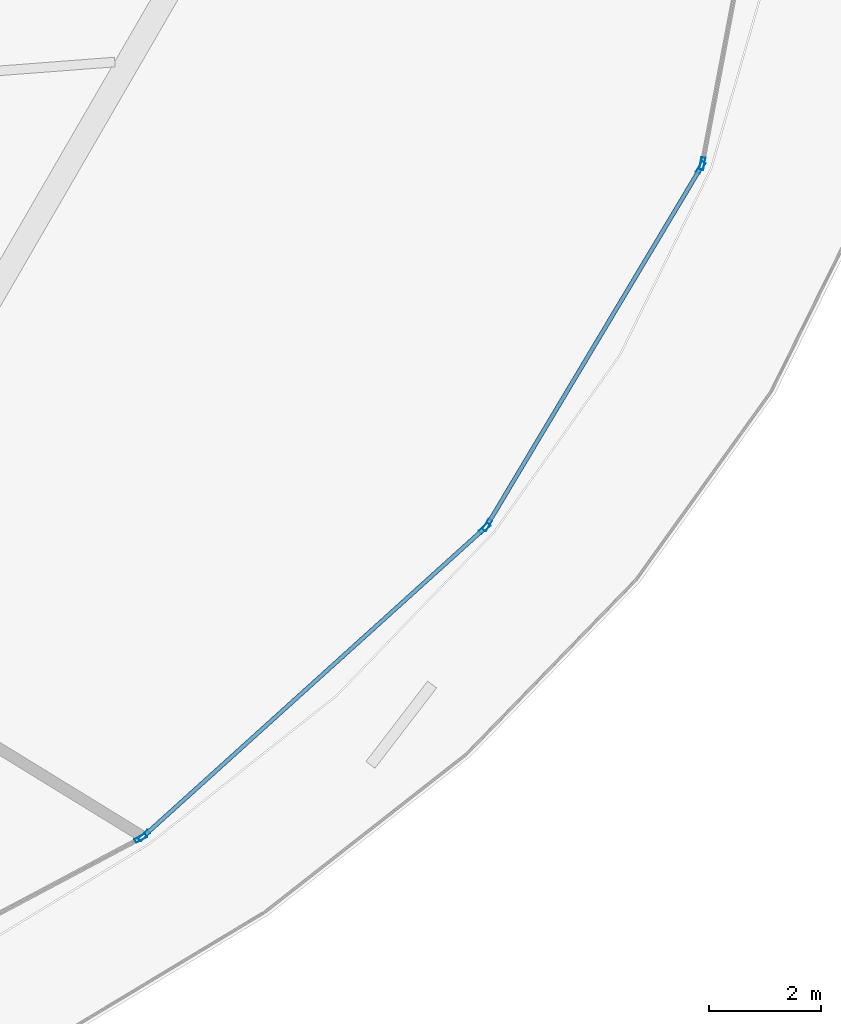
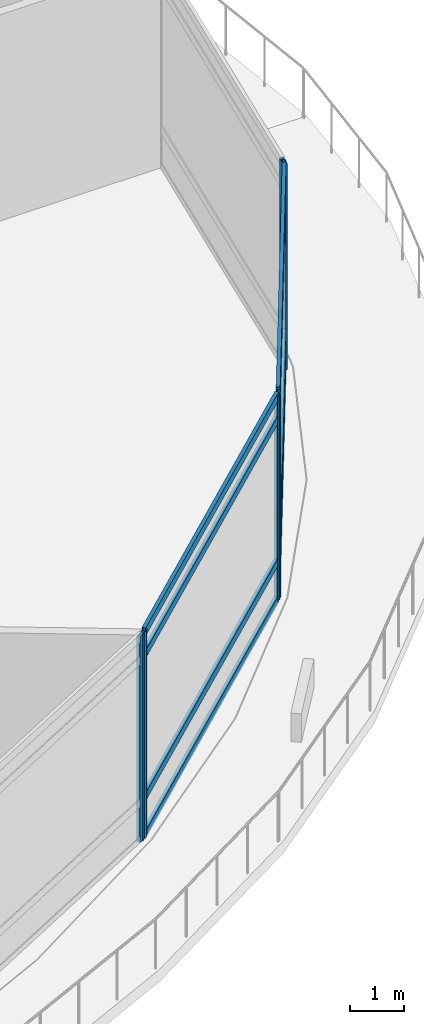
# One storey, part 21 of 37: 14 members, 4 elements without a shape of their own.
"""IFC4 building model written with IfcOpenShell, lengths in metres."""

from ifc_helpers import new_model, si_unit, direction, frame, origin, origin_2d, place, context, subcontext, project, spatial, hollow_rectangle, extrude, material, layer, layer_set, material_profile, profile_set, type_object, element, aggregate, save


model = new_model("IFC4")

# Units and contexts
model_context = context("Model", 3, precision=1e-05, world=origin(), true_north=direction((0.0, 1.0)))
body_context = subcontext(model_context, "Body", "Model", "MODEL_VIEW")
ifc_project = project(units=[si_unit("LENGTHUNIT", "METRE"), si_unit("AREAUNIT", "SQUARE_METRE"), si_unit("VOLUMEUNIT", "CUBIC_METRE"), si_unit("PLANEANGLEUNIT", "RADIAN"), si_unit("MASSUNIT", "GRAM", prefix="KILO")], contexts=[model_context])

# Site, building, storey
site_placement = place(None, origin())
site = spatial("IfcSite", under=ifc_project, at=site_placement, CompositionType="ELEMENT")
building_placement = place(site_placement, origin())
building = spatial("IfcBuilding", under=site, at=building_placement, Name="Nuhasar Tower", CompositionType="ELEMENT")
storey_placement = place(building_placement, frame((0.0, 0.0, 6.0)))
storey = spatial("IfcBuildingStorey", under=building, at=storey_placement, Name="L01", CompositionType="ELEMENT", Elevation=6.0)

# Curtain wall, member
ifc_material = material(Name="Aluminium 6063-T6", Category="aluminium")
ifc_layer = layer(ifc_material, 0.219970703125)
ifc_layer_set = layer_set([ifc_layer], Name="Aluminium 6063-T6")
curtain_wall_type = type_object("IfcCurtainWallType", Name="CW-PODIUM", PredefinedType="NOTDEFINED", material=ifc_layer_set)
curtain_wall_1_placement = place(storey_placement, origin())
curtain_wall_1 = element("IfcCurtainWall", 1, at=curtain_wall_1_placement, inside=storey, type_object=curtain_wall_type, Name="L01 Podium Curtain Wall Bay 21", PredefinedType="NOTDEFINED")
ifc_material_profile_1 = material_profile(ifc_material, hollow_rectangle(XDim=0.074951171875, YDim=0.219970703125, WallThickness=0.0048828125, at=origin_2d()), Name="CWM-1")
ifc_profile_set_1 = profile_set([ifc_material_profile_1], Name="Aluminium 6063-T6")
member_type_1 = type_object("IfcMemberType", Name="CW-MUL-S1", PredefinedType="MULLION", material=ifc_profile_set_1)
member_1_placement = place(storey_placement, frame((66.14794921875, 7.9453125, 0.0), z_axis=(0.0, 0.0, 1.0), x_axis=(-0.469563312429, 0.882898802593, 0.0)))
member_1 = element("IfcMember", 2, at=member_1_placement, type_object=member_type_1, Name="CW-P1 mullion 2", PredefinedType="MULLION", context=body_context, shape_type="SweptSolid", body=[
    extrude(hollow_rectangle(XDim=0.074951171875, YDim=0.219970703125, WallThickness=0.0048828125, at=origin_2d()), origin(), (0.0, 0.0, 1.0), 4.699951171875),
])
aggregate(curtain_wall_1, [member_1])

# Curtain wall, members
curtain_wall_2_placement = place(storey_placement, origin())
curtain_wall_2 = element("IfcCurtainWall", 3, at=curtain_wall_2_placement, inside=storey, type_object=curtain_wall_type, Name="L01 Podium Curtain Wall Bay 22", PredefinedType="NOTDEFINED")
member_2_placement = place(storey_placement, frame((66.208740234375, 7.988037109375, 0.0), z_axis=(0.0, 0.0, 1.0), x_axis=(-0.67023230157, 0.742151374001, 0.0)))
member_2 = element("IfcMember", 4, at=member_2_placement, type_object=member_type_1, Name="CW-P1 mullion 1", PredefinedType="MULLION", context=body_context, shape_type="SweptSolid", body=[
    extrude(hollow_rectangle(XDim=0.074951171875, YDim=0.219970703125, WallThickness=0.0048828125, at=origin_2d()), origin(), (0.0, 0.0, 1.0), 4.699951171875),
])
member_3_placement = place(storey_placement, frame((72.26220703125, 13.454833984375, 0.0), z_axis=(0.0, 0.0, 1.0), x_axis=(-0.67023230157, 0.742151374001, 0.0)))
member_3 = element("IfcMember", 5, at=member_3_placement, type_object=member_type_1, Name="CW-P1 mullion 2", PredefinedType="MULLION", context=body_context, shape_type="SweptSolid", body=[
    extrude(hollow_rectangle(XDim=0.074951171875, YDim=0.219970703125, WallThickness=0.0048828125, at=origin_2d()), origin(), (0.0, 0.0, 1.0), 4.699951171875),
])

curtain_wall_3_placement = place(storey_placement, origin())
curtain_wall_3 = element("IfcCurtainWall", 6, at=curtain_wall_3_placement, inside=storey, type_object=curtain_wall_type, Name="L01 Podium Curtain Wall Bay 23", PredefinedType="NOTDEFINED")
member_4_placement = place(storey_placement, frame((72.309326171875, 13.51220703125, 0.0), z_axis=(0.0, 0.0, 1.0), x_axis=(-0.858375772952, 0.513021473633, 0.0)))
member_4 = element("IfcMember", 7, at=member_4_placement, type_object=member_type_1, Name="CW-P1 mullion 1", PredefinedType="MULLION", context=body_context, shape_type="SweptSolid", body=[
    extrude(hollow_rectangle(XDim=0.074951171875, YDim=0.219970703125, WallThickness=0.0048828125, at=origin_2d()), origin(), (0.0, 0.0, 1.0), 4.699951171875),
])
member_5_placement = place(storey_placement, frame((76.11083984375, 19.872802734375, 0.0), z_axis=(0.0, 0.0, 1.0), x_axis=(-0.858375772952, 0.513021473633, 0.0)))
member_5 = element("IfcMember", 8, at=member_5_placement, type_object=member_type_1, Name="CW-P1 mullion 2", PredefinedType="MULLION", context=body_context, shape_type="SweptSolid", body=[
    extrude(hollow_rectangle(XDim=0.074951171875, YDim=0.219970703125, WallThickness=0.0048828125, at=origin_2d()), origin(), (0.0, 0.0, 1.0), 4.699951171875),
])

# Curtain wall, member
curtain_wall_4_placement = place(storey_placement, origin())
curtain_wall_4 = element("IfcCurtainWall", 9, at=curtain_wall_4_placement, inside=storey, type_object=curtain_wall_type, Name="L01 Podium Curtain Wall Bay 24", PredefinedType="NOTDEFINED")
member_6_placement = place(storey_placement, frame((76.136962890625, 19.94189453125, 0.0), z_axis=(0.0, 0.0, 1.0), x_axis=(-0.982425758113, 0.186653769843, 0.0)))
member_6 = element("IfcMember", 10, at=member_6_placement, type_object=member_type_1, Name="CW-P1 mullion 1", PredefinedType="MULLION", context=body_context, shape_type="SweptSolid", body=[
    extrude(hollow_rectangle(XDim=0.074951171875, YDim=0.219970703125, WallThickness=0.0048828125, at=origin_2d()), origin(), (0.0, 0.0, 1.0), 4.699951171875),
])
aggregate(curtain_wall_4, [member_6])

# Member
ifc_material_profile_2 = material_profile(ifc_material, hollow_rectangle(XDim=0.074951171875, YDim=0.179931640625, WallThickness=0.00439453125, at=origin_2d()), Name="CWT-1")
ifc_profile_set_2 = profile_set([ifc_material_profile_2], Name="Aluminium 6063-T6")
member_type_2 = type_object("IfcMemberType", Name="CW-TRN-S1", PredefinedType="USERDEFINED", material=ifc_profile_set_2)
member_7_placement = place(storey_placement, frame((66.236572265625, 8.01318359375, 0.03759765625), z_axis=(0.74215596141, 0.670227221876, 0.0), x_axis=(-0.670227221876, 0.74215596141, 0.0)))
member_7 = element("IfcMember", 11, at=member_7_placement, type_object=member_type_2, Name="CW-P1 transom 1.1", ObjectType="TRANSOM", PredefinedType="USERDEFINED", context=body_context, shape_type="SweptSolid", body=[
    extrude(hollow_rectangle(XDim=0.074951171875, YDim=0.179931640625, WallThickness=0.00439453125, at=origin_2d()), origin(), (0.0, 0.0, 1.0), 8.08154296875),
])

member_8_placement = place(storey_placement, frame((66.236572265625, 8.01318359375, 0.89990234375), z_axis=(0.74215596141, 0.670227221876, 0.0), x_axis=(-0.670227221876, 0.74215596141, 0.0)))
member_8 = element("IfcMember", 12, at=member_8_placement, type_object=member_type_2, Name="CW-P1 transom 1.2", ObjectType="TRANSOM", PredefinedType="USERDEFINED", context=body_context, shape_type="SweptSolid", body=[
    extrude(hollow_rectangle(XDim=0.074951171875, YDim=0.179931640625, WallThickness=0.00439453125, at=origin_2d()), origin(), (0.0, 0.0, 1.0), 8.08154296875),
])

member_9_placement = place(storey_placement, frame((66.236572265625, 8.01318359375, 4.14990234375), z_axis=(0.74215596141, 0.670227221876, 0.0), x_axis=(-0.670227221876, 0.74215596141, 0.0)))
member_9 = element("IfcMember", 13, at=member_9_placement, type_object=member_type_2, Name="CW-P1 transom 1.3", ObjectType="TRANSOM", PredefinedType="USERDEFINED", context=body_context, shape_type="SweptSolid", body=[
    extrude(hollow_rectangle(XDim=0.074951171875, YDim=0.179931640625, WallThickness=0.00439453125, at=origin_2d()), origin(), (0.0, 0.0, 1.0), 8.08154296875),
])

member_10_placement = place(storey_placement, frame((66.236572265625, 8.01318359375, 4.66259765625), z_axis=(0.74215596141, 0.670227221876, 0.0), x_axis=(-0.670227221876, 0.74215596141, 0.0)))
member_10 = element("IfcMember", 14, at=member_10_placement, type_object=member_type_2, Name="CW-P1 transom 1.4", ObjectType="TRANSOM", PredefinedType="USERDEFINED", context=body_context, shape_type="SweptSolid", body=[
    extrude(hollow_rectangle(XDim=0.074951171875, YDim=0.179931640625, WallThickness=0.00439453125, at=origin_2d()), origin(), (0.0, 0.0, 1.0), 8.08154296875),
])

aggregate(curtain_wall_2, [member_2, member_3, member_7, member_8, member_9, member_10])

member_11_placement = place(storey_placement, frame((72.328369140625, 13.54443359375, 0.03759765625), z_axis=(0.513041283575, 0.858363932926, 0.0), x_axis=(-0.858363932926, 0.513041283575, 0.0)))
member_11 = element("IfcMember", 15, at=member_11_placement, type_object=member_type_2, Name="CW-P1 transom 1.1", ObjectType="TRANSOM", PredefinedType="USERDEFINED", context=body_context, shape_type="SweptSolid", body=[
    extrude(hollow_rectangle(XDim=0.074951171875, YDim=0.179931640625, WallThickness=0.00439453125, at=origin_2d()), origin(), (0.0, 0.0, 1.0), 7.3349609375),
])

member_12_placement = place(storey_placement, frame((72.328369140625, 13.54443359375, 0.89990234375), z_axis=(0.513041283575, 0.858363932926, 0.0), x_axis=(-0.858363932926, 0.513041283575, 0.0)))
member_12 = element("IfcMember", 16, at=member_12_placement, type_object=member_type_2, Name="CW-P1 transom 1.2", ObjectType="TRANSOM", PredefinedType="USERDEFINED", context=body_context, shape_type="SweptSolid", body=[
    extrude(hollow_rectangle(XDim=0.074951171875, YDim=0.179931640625, WallThickness=0.00439453125, at=origin_2d()), origin(), (0.0, 0.0, 1.0), 7.3349609375),
])

member_13_placement = place(storey_placement, frame((72.328369140625, 13.54443359375, 4.14990234375), z_axis=(0.513041283575, 0.858363932926, 0.0), x_axis=(-0.858363932926, 0.513041283575, 0.0)))
member_13 = element("IfcMember", 17, at=member_13_placement, type_object=member_type_2, Name="CW-P1 transom 1.3", ObjectType="TRANSOM", PredefinedType="USERDEFINED", context=body_context, shape_type="SweptSolid", body=[
    extrude(hollow_rectangle(XDim=0.074951171875, YDim=0.179931640625, WallThickness=0.00439453125, at=origin_2d()), origin(), (0.0, 0.0, 1.0), 7.3349609375),
])

member_14_placement = place(storey_placement, frame((72.328369140625, 13.54443359375, 4.66259765625), z_axis=(0.513041283575, 0.858363932926, 0.0), x_axis=(-0.858363932926, 0.513041283575, 0.0)))
member_14 = element("IfcMember", 18, at=member_14_placement, type_object=member_type_2, Name="CW-P1 transom 1.4", ObjectType="TRANSOM", PredefinedType="USERDEFINED", context=body_context, shape_type="SweptSolid", body=[
    extrude(hollow_rectangle(XDim=0.074951171875, YDim=0.179931640625, WallThickness=0.00439453125, at=origin_2d()), origin(), (0.0, 0.0, 1.0), 7.3349609375),
])

aggregate(curtain_wall_3, [member_4, member_5, member_11, member_12, member_13, member_14])

save(model, "model.ifc")
